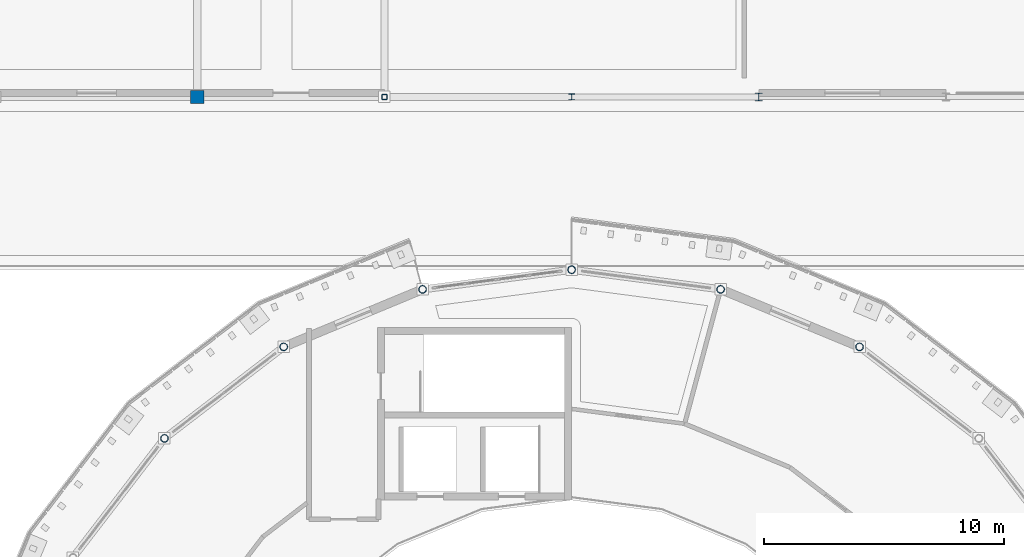
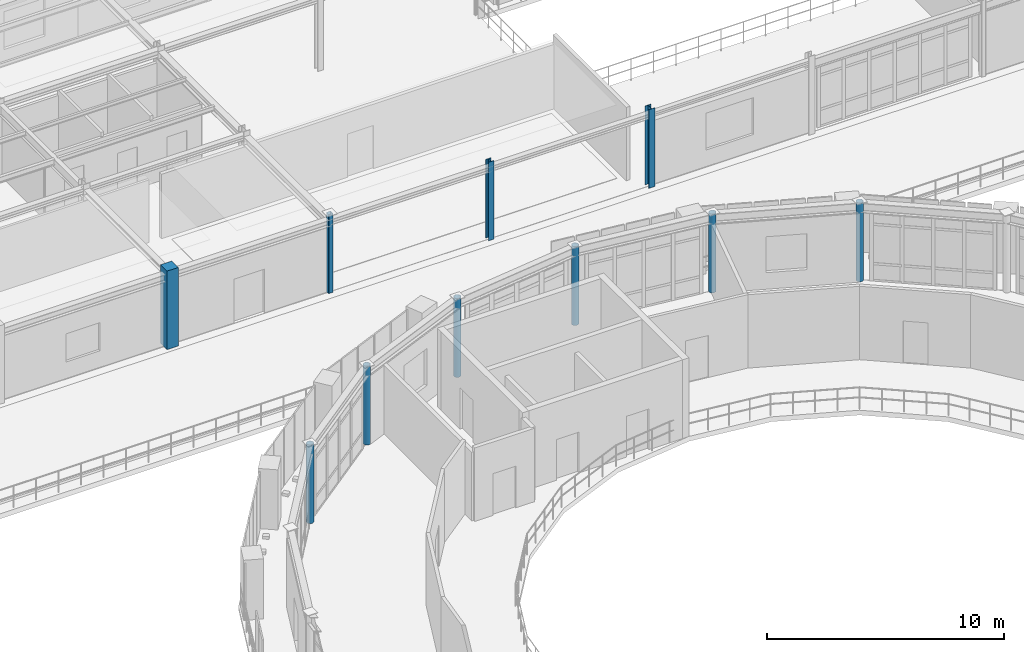
# One storey, part 7 of 58: 10 columns.
"""IFC4 building model written with IfcOpenShell, lengths in metres."""

from ifc_helpers import new_model, si_unit, derived_unit, direction, frame, origin, origin_2d, place, context, subcontext, project, spatial, rectangle, hollow_rectangle, hollow_circle, i_section, extrude, material, material_profile, profile_set, type_object, element, save


model = new_model("IFC4")

# Units and contexts
model_context = context("Model", 3, precision=1e-05, world=origin(), true_north=direction((0.0, 1.0)))
body_context = subcontext(model_context, "Body", "Model", "MODEL_VIEW")
ifc_project = project(units=[si_unit("LENGTHUNIT", "METRE"), si_unit("AREAUNIT", "SQUARE_METRE"), si_unit("VOLUMEUNIT", "CUBIC_METRE"), si_unit("PLANEANGLEUNIT", "RADIAN"), si_unit("MASSUNIT", "GRAM", prefix="KILO"), derived_unit("THERMALTRANSMITTANCEUNIT", [(si_unit("POWERUNIT", "WATT"), 1), (si_unit("AREAUNIT", "SQUARE_METRE"), -1), (si_unit("THERMODYNAMICTEMPERATUREUNIT", "KELVIN"), -1)])], contexts=[model_context])

# Site, building, storey
site_placement = place(None, origin())
site = spatial("IfcSite", under=ifc_project, at=site_placement, CompositionType="ELEMENT")
building_placement = place(site_placement, origin())
building = spatial("IfcBuilding", under=site, at=building_placement, Name="Yasenodar Specialist Clinic", CompositionType="ELEMENT")
storey_placement = place(building_placement, frame((0.0, 0.0, 17.25)))
storey = spatial("IfcBuildingStorey", under=building, at=storey_placement, Name="L04", CompositionType="ELEMENT", Elevation=17.25)

# Columns
ifc_material_1 = material(Name="Concrete C35/45", Category="concrete")
ifc_material_profile_1 = material_profile(ifc_material_1, rectangle(XDim=0.550048828125, YDim=0.550048828125, at=origin_2d()), Name="RC 550x550")
ifc_profile_set_1 = profile_set([ifc_material_profile_1], Name="Concrete C35/45")
column_type_1 = type_object("IfcColumnType", Name="COL-RC-550", PredefinedType="COLUMN", material=ifc_profile_set_1)
column_1_placement = place(storey_placement, frame((65.39990234375, 90.0, 0.0), z_axis=(0.0, 0.0, 1.0), x_axis=(1.0, 0.0, 0.0)))
element("IfcColumn", 1, at=column_1_placement, inside=storey, type_object=column_type_1, Name="L04 Column V5-094", PredefinedType="COLUMN", context=body_context, shape_type="SweptSolid", body=[
    extrude(rectangle(XDim=0.550048828125, YDim=0.550048828125, at=origin_2d()), origin(), (0.0, 0.0, 1.0), 4.050048828125),
])
ifc_material_2 = material(Name="Steel S355", Category="steel")
ifc_material_profile_2 = material_profile(ifc_material_2, hollow_circle(Radius=0.161865234375, WallThickness=0.01611328125, at=origin_2d()), Name="CHS 323.9x16")
ifc_profile_set_2 = profile_set([ifc_material_profile_2], Name="Steel S355")
column_type_2 = type_object("IfcColumnType", Name="COL-ST-CHS324", PredefinedType="COLUMN", material=ifc_profile_set_2)
for number, where, z_axis, x_axis, name in (
    (2, (93.0, 79.584716796875, 0.0), (0.0, 0.0, 1.0), (1.0, 0.0, 0.0), "L04 Drum V1 Outer Column 05"),
    (3, (87.211669921875, 81.982177734375, 0.0), (0.0, 0.0, 1.0), (1.0, 0.0, 0.0), "L04 Drum V1 Outer Column 06"),
    (4, (81.0, 82.800048828125, 0.0), (0.0, 0.0, 1.0), (1.0, 0.0, 0.0), "L04 Drum V1 Outer Column 07"),
    (5, (74.788330078125, 81.982177734375, 0.0), (0.0, 0.0, 1.0), (1.0, 0.0, 0.0), "L04 Drum V1 Outer Column 08"),
    (6, (69.0, 79.584716796875, 0.0), (0.0, 0.0, 1.0), (1.0, 0.0, 0.0), "L04 Drum V1 Outer Column 09"),
    (7, (64.029296875, 75.7705078125, 0.0), (0.0, 0.0, 1.0), (1.0, 0.0, 0.0), "L04 Drum V1 Outer Column 10"),
):
    element("IfcColumn", number, at=place(storey_placement, frame(where, z_axis=z_axis, x_axis=x_axis)), inside=storey, type_object=column_type_2, Name=name, PredefinedType="COLUMN", context=body_context, shape_type="SweptSolid", body=[
        extrude(hollow_circle(Radius=0.161865234375, WallThickness=0.01611328125, at=origin_2d()), origin(), (0.0, 0.0, 1.0), 4.050048828125),
    ])
ifc_material_profile_3 = material_profile(ifc_material_2, i_section(OverallWidth=0.260009765625, OverallDepth=0.25, WebThickness=0.007568359375, FlangeThickness=0.012451171875, FilletRadius=0.02392578125, at=origin_2d()), Name="HEA 260")
ifc_profile_set_3 = profile_set([ifc_material_profile_3], Name="Steel S355")
column_type_3 = type_object("IfcColumnType", Name="COL-ST-HEA260", PredefinedType="COLUMN", material=ifc_profile_set_3)
column_2_placement = place(storey_placement, frame((81.0, 90.0, 0.0), z_axis=(0.0, 0.0, 1.0), x_axis=(1.0, 0.0, 0.0)))
element("IfcColumn", 8, at=column_2_placement, inside=storey, type_object=column_type_3, Name="L04 Column V5-104", PredefinedType="COLUMN", context=body_context, shape_type="SweptSolid", body=[
    extrude(i_section(OverallWidth=0.260009765625, OverallDepth=0.25, WebThickness=0.007568359375, FlangeThickness=0.012451171875, FilletRadius=0.02392578125, at=origin_2d()), origin(), (0.0, 0.0, 1.0), 4.050048828125),
])
ifc_material_profile_4 = material_profile(ifc_material_2, i_section(OverallWidth=0.300048828125, OverallDepth=0.330078125, WebThickness=0.009521484375, FlangeThickness=0.0166015625, FilletRadius=0.027099609375, at=origin_2d()), Name="HEA 340")
ifc_profile_set_4 = profile_set([ifc_material_profile_4], Name="Steel S355")
column_type_4 = type_object("IfcColumnType", Name="COL-ST-HEA340", PredefinedType="COLUMN", material=ifc_profile_set_4)
column_3_placement = place(storey_placement, frame((88.800048828125, 90.0, 0.0), z_axis=(0.0, 0.0, 1.0), x_axis=(1.0, 0.0, 0.0)))
element("IfcColumn", 9, at=column_3_placement, inside=storey, type_object=column_type_4, Name="L04 Column V5-108", PredefinedType="COLUMN", context=body_context, shape_type="SweptSolid", body=[
    extrude(i_section(OverallWidth=0.300048828125, OverallDepth=0.330078125, WebThickness=0.009521484375, FlangeThickness=0.0166015625, FilletRadius=0.027099609375, at=origin_2d()), origin(), (0.0, 0.0, 1.0), 4.050048828125),
])
ifc_material_profile_5 = material_profile(ifc_material_2, hollow_rectangle(XDim=0.219970703125, YDim=0.219970703125, WallThickness=0.012451171875, InnerFilletRadius=0.018798828125, OuterFilletRadius=0.03125, at=origin_2d()), Name="SHS 220x220x12.5")
ifc_profile_set_5 = profile_set([ifc_material_profile_5], Name="Steel S355")
column_type_5 = type_object("IfcColumnType", Name="COL-ST-SHS220", PredefinedType="COLUMN", material=ifc_profile_set_5)
column_4_placement = place(storey_placement, frame((73.199951171875, 90.0, 0.0), z_axis=(0.0, 0.0, 1.0), x_axis=(1.0, 0.0, 0.0)))
element("IfcColumn", 10, at=column_4_placement, inside=storey, type_object=column_type_5, Name="L04 Column V5-099", PredefinedType="COLUMN", context=body_context, shape_type="SweptSolid", body=[
    extrude(hollow_rectangle(XDim=0.219970703125, YDim=0.219970703125, WallThickness=0.012451171875, InnerFilletRadius=0.018798828125, OuterFilletRadius=0.03125, at=origin_2d()), origin(), (0.0, 0.0, 1.0), 4.050048828125),
])

save(model, "model.ifc")
